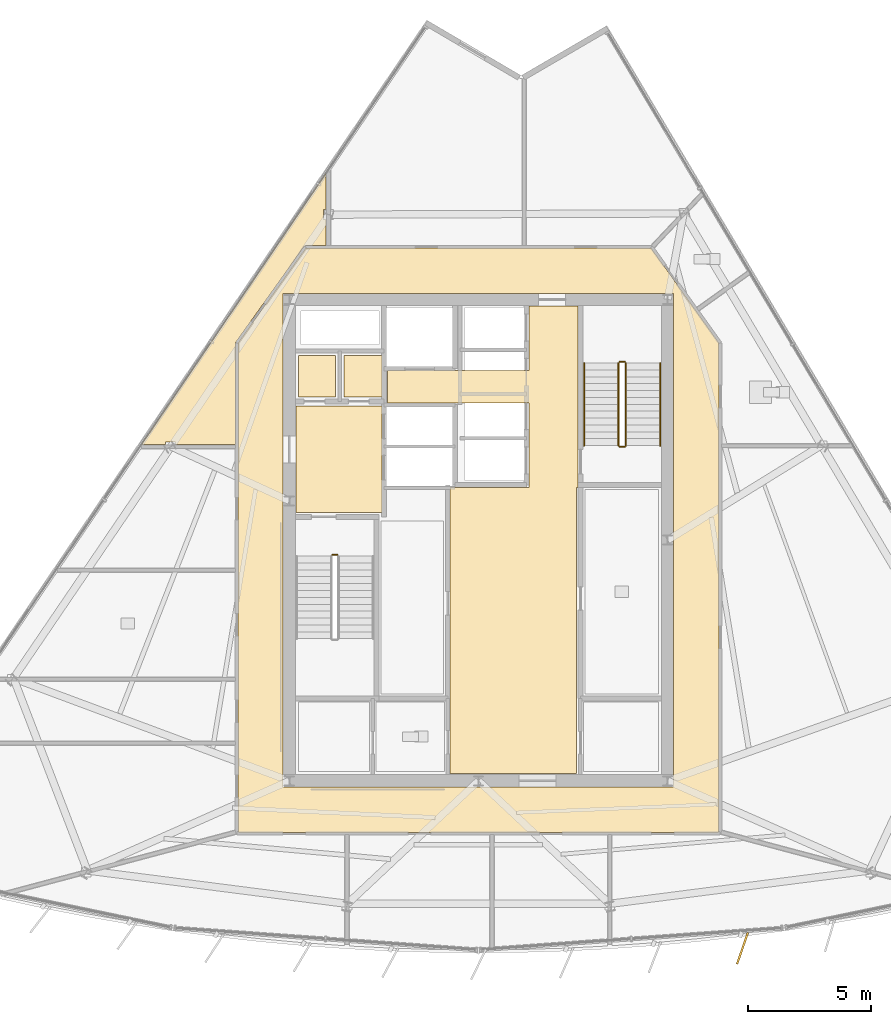
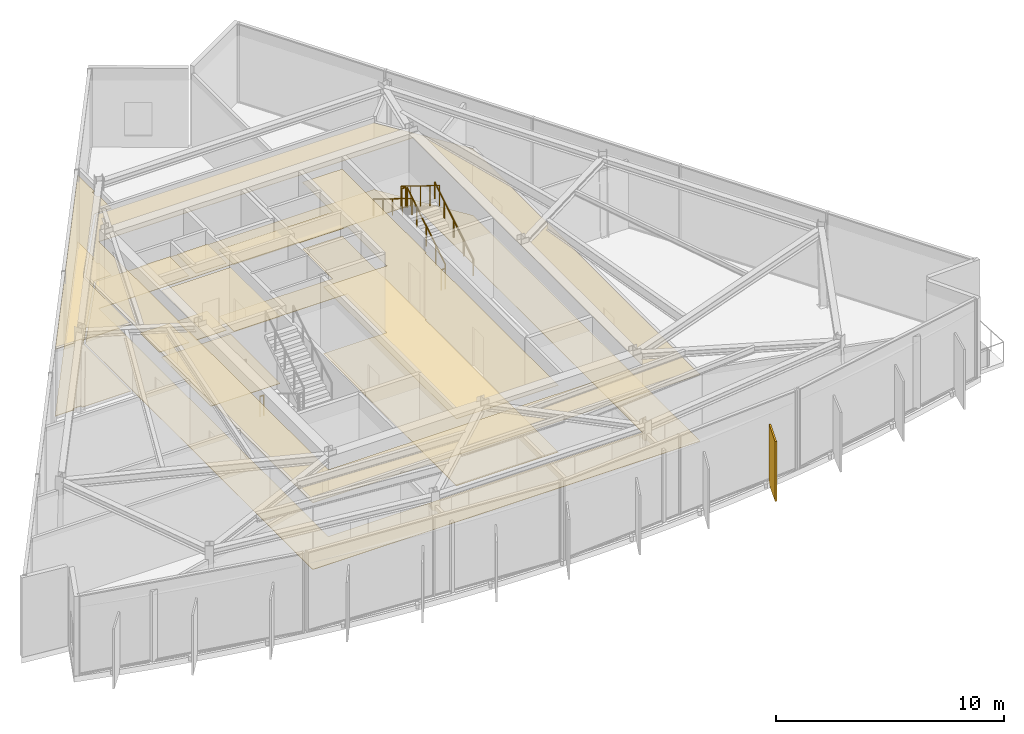
# One storey, part 10 of 12: 12 coverings, 7 railings, 1 shading device.
"""IFC4 building model written with IfcOpenShell, lengths in metres."""

from ifc_helpers import new_model, si_unit, direction, frame, origin, origin_2d, place, context, subcontext, project, spatial, polyline, rectangle, circle, outline, extrude, material, layer, layer_set, type_object, element, save


model = new_model("IFC4")

# Units and contexts
model_context = context("Model", 3, precision=1e-05, world=origin(), true_north=direction((0.0, 1.0)))
body_context = subcontext(model_context, "Body", "Model", "MODEL_VIEW")
ifc_project = project(units=[si_unit("LENGTHUNIT", "METRE"), si_unit("AREAUNIT", "SQUARE_METRE"), si_unit("VOLUMEUNIT", "CUBIC_METRE"), si_unit("PLANEANGLEUNIT", "RADIAN"), si_unit("MASSUNIT", "GRAM", prefix="KILO")], contexts=[model_context])

# Site, building, storey
site_placement = place(None, origin())
site = spatial("IfcSite", under=ifc_project, at=site_placement, CompositionType="ELEMENT")
building_placement = place(site_placement, origin())
building = spatial("IfcBuilding", under=site, at=building_placement, Name="Savorim Split Tower", CompositionType="ELEMENT")
storey_placement = place(building_placement, frame((0.0, 0.0, 246.300048828125)))
storey = spatial("IfcBuildingStorey", under=building, at=storey_placement, Name="L65", CompositionType="ELEMENT", Elevation=246.300048828125)

# Coverings
ifc_material_1 = material(Name="Mineral Fibre Acoustic Ceiling")
ifc_layer_1 = layer(ifc_material_1, 0.02490234375)
ifc_layer_set_1 = layer_set([ifc_layer_1], Name="COV-CEIL-25")
covering_type_1 = type_object("IfcCoveringType", Name="COV-CEIL-25", PredefinedType="CEILING", material=ifc_layer_set_1)
covering_1_placement = place(storey_placement, frame((0.0, 0.0, 3.570068359375)))
element("IfcCovering", 1, at=covering_1_placement, inside=storey, type_object=covering_type_1, Name="L65 Firefighting Lift Lobby Acoustic Ceiling", PredefinedType="CEILING", context=body_context, shape_type="SweptSolid", body=[
    extrude(outline(polyline([(-7.429931640625, 5.8701171875), (-7.429931640625, 1.530029296875), (-3.929931640625, 1.530029296875), (-3.929931640625, 5.8701171875), (-7.429931640625, 5.8701171875)])), origin(), (0.0, 0.0, 1.0), 0.02490234375),
])
covering_2_placement = place(storey_placement, frame((0.0, 0.0, 3.570068359375)))
element("IfcCovering", 2, at=covering_2_placement, inside=storey, type_object=covering_type_1, Name="L65 Electrical Riser Acoustic Ceiling", PredefinedType="CEILING", context=body_context, shape_type="SweptSolid", body=[
    extrude(outline(polyline([(-7.320068359375, 7.919921875), (-7.320068359375, 6.22998046875), (-5.830078125, 6.22998046875), (-5.830078125, 7.919921875), (-7.320068359375, 7.919921875)])), origin(), (0.0, 0.0, 1.0), 0.02490234375),
])
covering_3_placement = place(storey_placement, frame((0.0, 0.0, 3.570068359375)))
element("IfcCovering", 3, at=covering_3_placement, inside=storey, type_object=covering_type_1, Name="L65 Telecom Riser Acoustic Ceiling", PredefinedType="CEILING", context=body_context, shape_type="SweptSolid", body=[
    extrude(outline(polyline([(-5.469970703125, 7.919921875), (-5.469970703125, 6.22998046875), (-3.929931640625, 6.22998046875), (-3.929931640625, 7.919921875), (-5.469970703125, 7.919921875)])), origin(), (0.0, 0.0, 1.0), 0.02490234375),
])
covering_4_placement = place(storey_placement, frame((0.0, 0.0, 3.570068359375)))
element("IfcCovering", 4, at=covering_4_placement, inside=storey, type_object=covering_type_1, Name="L65 Lift Lobby Acoustic Ceiling", PredefinedType="CEILING", context=body_context, shape_type="SweptSolid", body=[
    extrude(outline(polyline([(2.050048828125, 2.550048828125), (-1.14990234375, 2.550048828125), (-1.14990234375, -9.10009765625), (4.0, -9.10009765625), (4.0, 2.550048828125), (4.050048828125, 2.550048828125), (4.050048828125, 5.97998046875), (4.050048828125, 7.300048828125), (4.050048828125, 9.929931640625), (2.050048828125, 9.929931640625), (2.050048828125, 7.300048828125), (-3.699951171875, 7.300048828125), (-3.699951171875, 5.97998046875), (2.050048828125, 5.97998046875), (2.050048828125, 2.550048828125)])), origin(), (0.0, 0.0, 1.0), 0.02490234375),
])
covering_5_placement = place(storey_placement, frame((0.0, 0.0, 3.570068359375)))
element("IfcCovering", 5, at=covering_5_placement, inside=storey, type_object=covering_type_1, Name="L65 Corridor Acoustic Ceiling", PredefinedType="CEILING", context=body_context, shape_type="SweptSolid", body=[
    extrude(outline(polyline([(7.009521484375, 12.299072265625), (7.004638671875, 12.2998046875), (7.0, 12.300048828125), (-7.0, 12.300048828125), (-7.004638671875, 12.2998046875), (-7.009521484375, 12.299072265625), (-7.01416015625, 12.298095703125), (-7.0185546875, 12.29638671875), (-7.02294921875, 12.29443359375), (-7.027099609375, 12.2919921875), (-7.031005859375, 12.289306640625), (-7.034423828125, 12.2861328125), (-7.03759765625, 12.28271484375), (-7.040771484375, 12.279052734375), (-9.790771484375, 8.42919921875), (-9.79345703125, 8.4248046875), (-9.7958984375, 8.420166015625), (-9.797607421875, 8.415283203125), (-9.798828125, 8.410400390625), (-9.7998046875, 8.4052734375), (-9.800048828125, 8.39990234375), (-9.800048828125, -11.449951171875), (-9.7998046875, -11.454833984375), (-9.799072265625, -11.459716796875), (-9.7978515625, -11.464599609375), (-9.796142578125, -11.468994140625), (-9.794189453125, -11.4736328125), (-9.79150390625, -11.477783203125), (-9.788818359375, -11.481689453125), (-9.785400390625, -11.4853515625), (-9.78173828125, -11.48876953125), (-9.77783203125, -11.49169921875), (-9.773681640625, -11.494140625), (-9.76904296875, -11.49609375), (-9.764404296875, -11.497802734375), (-9.759765625, -11.4990234375), (-9.7548828125, -11.499755859375), (-9.75, -11.5), (9.75, -11.5), (9.7548828125, -11.499755859375), (9.759765625, -11.4990234375), (9.764404296875, -11.497802734375), (9.76904296875, -11.49609375), (9.773681640625, -11.494140625), (9.77783203125, -11.49169921875), (9.78173828125, -11.48876953125), (9.785400390625, -11.4853515625), (9.788818359375, -11.481689453125), (9.79150390625, -11.477783203125), (9.794189453125, -11.4736328125), (9.796142578125, -11.468994140625), (9.7978515625, -11.464599609375), (9.799072265625, -11.459716796875), (9.7998046875, -11.454833984375), (9.800048828125, -11.449951171875), (9.800048828125, 8.39990234375), (9.7998046875, 8.4052734375), (9.798828125, 8.410400390625), (9.797607421875, 8.415283203125), (9.7958984375, 8.420166015625), (9.79345703125, 8.4248046875), (9.790771484375, 8.42919921875), (7.040771484375, 12.279052734375), (7.03759765625, 12.28271484375), (7.034423828125, 12.2861328125), (7.031005859375, 12.289306640625), (7.027099609375, 12.2919921875), (7.02294921875, 12.29443359375), (7.0185546875, 12.29638671875), (7.01416015625, 12.298095703125), (7.009521484375, 12.299072265625)]), holes=[polyline([(-7.949951171875, 10.449951171875), (-7.949951171875, -9.64990234375), (7.949951171875, -9.64990234375), (7.949951171875, 10.449951171875), (-7.949951171875, 10.449951171875)])]), origin(), (0.0, 0.0, 1.0), 0.02490234375),
])
covering_6_placement = place(storey_placement, frame((0.0, 0.0, 3.570068359375)))
element("IfcCovering", 6, at=covering_6_placement, inside=storey, type_object=covering_type_1, Name="L65 Co-Working Commons Acoustic Ceiling", PredefinedType="CEILING", context=body_context, shape_type="SweptSolid", body=[
    extrude(outline(polyline([(-7.01318359375, 12.389404296875), (-7.0, 12.389892578125), (-6.201171875, 12.389892578125), (-6.201171875, 13.460693359375), (-6.302978515625, 13.460693359375), (-6.302978515625, 13.8525390625), (-6.201171875, 13.8525390625), (-6.201171875, 15.34619140625), (-13.720458984375, 4.292724609375), (-12.73779296875, 4.292724609375), (-12.73779296875, 4.393798828125), (-12.343994140625, 4.393798828125), (-12.343994140625, 4.292724609375), (-9.889892578125, 4.292724609375), (-9.889892578125, 8.39990234375), (-9.889404296875, 8.414306640625), (-9.886962890625, 8.4287109375), (-9.88330078125, 8.442626953125), (-9.878173828125, 8.456298828125), (-9.87158203125, 8.46923828125), (-9.864013671875, 8.4814453125), (-7.114013671875, 12.331298828125), (-7.105712890625, 12.341796875), (-7.096435546875, 12.351318359375), (-7.08642578125, 12.360107421875), (-7.07568359375, 12.367919921875), (-7.064208984375, 12.37451171875), (-7.052001953125, 12.3798828125), (-7.039306640625, 12.38427734375), (-7.026611328125, 12.387451171875), (-7.01318359375, 12.389404296875)])), origin(), (0.0, 0.0, 1.0), 0.02490234375),
])
ifc_material_2 = material(Name="Porcelain Stoneware Flooring", Category="masonry")
ifc_layer_2 = layer(ifc_material_2, 0.02001953125)
ifc_layer_set_2 = layer_set([ifc_layer_2], Name="COV-FLOR-20")
covering_type_2 = type_object("IfcCoveringType", Name="COV-FLOR-20", PredefinedType="FLOORING", material=ifc_layer_set_2)
covering_7_placement = place(storey_placement, origin())
element("IfcCovering", 7, at=covering_7_placement, inside=storey, type_object=covering_type_2, Name="L65 Firefighting Lift Lobby Porcelain Flooring", PredefinedType="FLOORING", context=body_context, shape_type="SweptSolid", body=[
    extrude(outline(polyline([(-7.429931640625, 5.8701171875), (-7.429931640625, 1.530029296875), (-3.929931640625, 1.530029296875), (-3.929931640625, 5.8701171875), (-7.429931640625, 5.8701171875)])), origin(), (0.0, 0.0, 1.0), 0.02001953125),
])
covering_8_placement = place(storey_placement, origin())
element("IfcCovering", 8, at=covering_8_placement, inside=storey, type_object=covering_type_2, Name="L65 Electrical Riser Porcelain Flooring", PredefinedType="FLOORING", context=body_context, shape_type="SweptSolid", body=[
    extrude(outline(polyline([(-7.320068359375, 7.919921875), (-7.320068359375, 6.22998046875), (-5.830078125, 6.22998046875), (-5.830078125, 7.919921875), (-7.320068359375, 7.919921875)])), origin(), (0.0, 0.0, 1.0), 0.02001953125),
])
covering_9_placement = place(storey_placement, origin())
element("IfcCovering", 9, at=covering_9_placement, inside=storey, type_object=covering_type_2, Name="L65 Telecom Riser Porcelain Flooring", PredefinedType="FLOORING", context=body_context, shape_type="SweptSolid", body=[
    extrude(outline(polyline([(-5.469970703125, 7.919921875), (-5.469970703125, 6.22998046875), (-3.929931640625, 6.22998046875), (-3.929931640625, 7.919921875), (-5.469970703125, 7.919921875)])), origin(), (0.0, 0.0, 1.0), 0.02001953125),
])
covering_10_placement = place(storey_placement, origin())
element("IfcCovering", 10, at=covering_10_placement, inside=storey, type_object=covering_type_2, Name="L65 Lift Lobby Porcelain Flooring", PredefinedType="FLOORING", context=body_context, shape_type="SweptSolid", body=[
    extrude(outline(polyline([(2.050048828125, 2.550048828125), (-1.14990234375, 2.550048828125), (-1.14990234375, -9.10009765625), (4.0, -9.10009765625), (4.0, 2.550048828125), (4.050048828125, 2.550048828125), (4.050048828125, 5.97998046875), (4.050048828125, 7.300048828125), (4.050048828125, 9.929931640625), (2.050048828125, 9.929931640625), (2.050048828125, 7.300048828125), (-3.699951171875, 7.300048828125), (-3.699951171875, 5.97998046875), (2.050048828125, 5.97998046875), (2.050048828125, 2.550048828125)])), origin(), (0.0, 0.0, 1.0), 0.02001953125),
])
covering_11_placement = place(storey_placement, origin())
element("IfcCovering", 11, at=covering_11_placement, inside=storey, type_object=covering_type_2, Name="L65 Corridor Porcelain Flooring", PredefinedType="FLOORING", context=body_context, shape_type="SweptSolid", body=[
    extrude(outline(polyline([(7.009521484375, 12.299072265625), (7.004638671875, 12.2998046875), (7.0, 12.300048828125), (-7.0, 12.300048828125), (-7.004638671875, 12.2998046875), (-7.009521484375, 12.299072265625), (-7.01416015625, 12.298095703125), (-7.0185546875, 12.29638671875), (-7.02294921875, 12.29443359375), (-7.027099609375, 12.2919921875), (-7.031005859375, 12.289306640625), (-7.034423828125, 12.2861328125), (-7.03759765625, 12.28271484375), (-7.040771484375, 12.279052734375), (-9.790771484375, 8.42919921875), (-9.79345703125, 8.4248046875), (-9.7958984375, 8.420166015625), (-9.797607421875, 8.415283203125), (-9.798828125, 8.410400390625), (-9.7998046875, 8.4052734375), (-9.800048828125, 8.39990234375), (-9.800048828125, -11.449951171875), (-9.7998046875, -11.454833984375), (-9.799072265625, -11.459716796875), (-9.7978515625, -11.464599609375), (-9.796142578125, -11.468994140625), (-9.794189453125, -11.4736328125), (-9.79150390625, -11.477783203125), (-9.788818359375, -11.481689453125), (-9.785400390625, -11.4853515625), (-9.78173828125, -11.48876953125), (-9.77783203125, -11.49169921875), (-9.773681640625, -11.494140625), (-9.76904296875, -11.49609375), (-9.764404296875, -11.497802734375), (-9.759765625, -11.4990234375), (-9.7548828125, -11.499755859375), (-9.75, -11.5), (9.75, -11.5), (9.7548828125, -11.499755859375), (9.759765625, -11.4990234375), (9.764404296875, -11.497802734375), (9.76904296875, -11.49609375), (9.773681640625, -11.494140625), (9.77783203125, -11.49169921875), (9.78173828125, -11.48876953125), (9.785400390625, -11.4853515625), (9.788818359375, -11.481689453125), (9.79150390625, -11.477783203125), (9.794189453125, -11.4736328125), (9.796142578125, -11.468994140625), (9.7978515625, -11.464599609375), (9.799072265625, -11.459716796875), (9.7998046875, -11.454833984375), (9.800048828125, -11.449951171875), (9.800048828125, 8.39990234375), (9.7998046875, 8.4052734375), (9.798828125, 8.410400390625), (9.797607421875, 8.415283203125), (9.7958984375, 8.420166015625), (9.79345703125, 8.4248046875), (9.790771484375, 8.42919921875), (7.040771484375, 12.279052734375), (7.03759765625, 12.28271484375), (7.034423828125, 12.2861328125), (7.031005859375, 12.289306640625), (7.027099609375, 12.2919921875), (7.02294921875, 12.29443359375), (7.0185546875, 12.29638671875), (7.01416015625, 12.298095703125), (7.009521484375, 12.299072265625)]), holes=[polyline([(-7.949951171875, 10.449951171875), (-7.949951171875, -9.64990234375), (7.949951171875, -9.64990234375), (7.949951171875, 10.449951171875), (-7.949951171875, 10.449951171875)])]), origin(), (0.0, 0.0, 1.0), 0.02001953125),
])
covering_12_placement = place(storey_placement, origin())
element("IfcCovering", 12, at=covering_12_placement, inside=storey, type_object=covering_type_2, Name="L65 Co-Working Commons Porcelain Flooring", PredefinedType="FLOORING", context=body_context, shape_type="SweptSolid", body=[
    extrude(outline(polyline([(-7.01318359375, 12.389404296875), (-7.0, 12.389892578125), (-6.201171875, 12.389892578125), (-6.201171875, 13.460693359375), (-6.302978515625, 13.460693359375), (-6.302978515625, 13.8525390625), (-6.201171875, 13.8525390625), (-6.201171875, 15.34619140625), (-13.720458984375, 4.292724609375), (-12.73779296875, 4.292724609375), (-12.73779296875, 4.393798828125), (-12.343994140625, 4.393798828125), (-12.343994140625, 4.292724609375), (-9.889892578125, 4.292724609375), (-9.889892578125, 8.39990234375), (-9.889404296875, 8.414306640625), (-9.886962890625, 8.4287109375), (-9.88330078125, 8.442626953125), (-9.878173828125, 8.456298828125), (-9.87158203125, 8.46923828125), (-9.864013671875, 8.4814453125), (-7.114013671875, 12.331298828125), (-7.105712890625, 12.341796875), (-7.096435546875, 12.351318359375), (-7.08642578125, 12.360107421875), (-7.07568359375, 12.367919921875), (-7.064208984375, 12.37451171875), (-7.052001953125, 12.3798828125), (-7.039306640625, 12.38427734375), (-7.026611328125, 12.387451171875), (-7.01318359375, 12.389404296875)])), origin(), (0.0, 0.0, 1.0), 0.02001953125),
])

# Railings
ifc_material_3 = material(Name="Galvanised Painted Steel Balustrade", Category="steel")
railing_type_1 = type_object("IfcRailingType", Name="RLG-HR-900", PredefinedType="HANDRAIL", material=ifc_material_3)
railing_1_placement = place(storey_placement, frame((7.39990234375, 4.25, 0.173095703125)))
element("IfcRailing", 13, at=railing_1_placement, inside=storey, type_object=railing_type_1, Name="L65 ST-2 stair handrail 1", PredefinedType="HANDRAIL", context=body_context, shape_type="SweptSolid", body=[
    extrude(circle(Radius=0.02392578125, at=origin_2d()), frame((0.0, 0.0, 0.8759765625), z_axis=(0.0, 0.850623216509, 0.525775754039), x_axis=(-1.0, 0.0, 0.0)), (0.0, 0.0, 1.0), 3.9501953125),
    extrude(circle(Radius=0.02099609375, at=origin_2d()), origin(), (0.0, 0.0, 1.0), 0.851806640625),
    extrude(circle(Radius=0.02099609375, at=origin_2d()), frame((0.0, 0.840087890625, 0.519287109375)), (0.0, 0.0, 1.0), 0.851806640625),
    extrude(circle(Radius=0.02099609375, at=origin_2d()), frame((0.0, 1.68017578125, 1.03857421875)), (0.0, 0.0, 1.0), 0.851806640625),
    extrude(circle(Radius=0.02099609375, at=origin_2d()), frame((0.0, 2.52001953125, 1.5576171875)), (0.0, 0.0, 1.0), 0.851806640625),
    extrude(circle(Radius=0.02099609375, at=origin_2d()), frame((0.0, 3.360107421875, 2.076904296875)), (0.0, 0.0, 1.0), 0.851806640625),
])
railing_2_placement = place(storey_placement, frame((4.300048828125, 7.610107421875, 2.423095703125)))
element("IfcRailing", 14, at=railing_2_placement, inside=storey, type_object=railing_type_1, Name="L65 ST-2 stair handrail 2", PredefinedType="HANDRAIL", context=body_context, shape_type="SweptSolid", body=[
    extrude(circle(Radius=0.02392578125, at=origin_2d()), frame((0.0, 0.0, 0.8759765625), z_axis=(0.0, -0.850623216509, 0.525775754039), x_axis=(1.0, 0.0, 0.0)), (0.0, 0.0, 1.0), 3.9501953125),
    extrude(circle(Radius=0.02099609375, at=origin_2d()), origin(), (0.0, 0.0, 1.0), 0.851806640625),
    extrude(circle(Radius=0.02099609375, at=origin_2d()), frame((0.0, -0.840087890625, 0.519287109375)), (0.0, 0.0, 1.0), 0.851806640625),
    extrude(circle(Radius=0.02099609375, at=origin_2d()), frame((0.0, -1.68017578125, 1.03857421875)), (0.0, 0.0, 1.0), 0.851806640625),
    extrude(circle(Radius=0.02099609375, at=origin_2d()), frame((0.0, -2.52001953125, 1.5576171875)), (0.0, 0.0, 1.0), 0.851806640625),
    extrude(circle(Radius=0.02099609375, at=origin_2d()), frame((0.0, -3.360107421875, 2.076904296875)), (0.0, 0.0, 1.0), 0.851806640625),
])
railing_type_2 = type_object("IfcRailingType", Name="RLG-STG-1100", PredefinedType="BALUSTRADE", material=ifc_material_3)
railing_3_placement = place(storey_placement, frame((-5.949951171875, -0.199951171875, 0.0)))
element("IfcRailing", 15, at=railing_3_placement, inside=storey, type_object=railing_type_2, Name="L65 ST-1 stair guard 4", PredefinedType="BALUSTRADE", context=body_context, shape_type="SweptSolid", body=[
    extrude(circle(Radius=0.02392578125, at=origin_2d()), frame((0.0, 0.0, 1.076171875), z_axis=(1.0, 0.0, 0.0), x_axis=(0.0, 1.0, 0.0)), (0.0, 0.0, 1.0), 0.199951171875),
    extrude(circle(Radius=0.02099609375, at=origin_2d()), origin(), (0.0, 0.0, 1.0), 1.052001953125),
    extrude(circle(Radius=0.02099609375, at=origin_2d()), frame((0.199951171875, 0.0, 0.0)), (0.0, 0.0, 1.0), 1.052001953125),
])
railing_4_placement = place(storey_placement, frame((6.0, 4.25, 0.173095703125)))
element("IfcRailing", 16, at=railing_4_placement, inside=storey, type_object=railing_type_2, Name="L65 ST-2 stair guard 1", PredefinedType="BALUSTRADE", context=body_context, shape_type="SweptSolid", body=[
    extrude(circle(Radius=0.02392578125, at=origin_2d()), frame((0.0, 0.0, 1.076171875), z_axis=(0.0, 0.850623216509, 0.525775754039), x_axis=(-1.0, 0.0, 0.0)), (0.0, 0.0, 1.0), 3.9501953125),
    extrude(circle(Radius=0.02099609375, at=origin_2d()), origin(), (0.0, 0.0, 1.0), 1.052001953125),
    extrude(circle(Radius=0.02099609375, at=origin_2d()), frame((0.0, 0.840087890625, 0.519287109375)), (0.0, 0.0, 1.0), 1.052001953125),
    extrude(circle(Radius=0.02099609375, at=origin_2d()), frame((0.0, 1.68017578125, 1.03857421875)), (0.0, 0.0, 1.0), 1.052001953125),
    extrude(circle(Radius=0.02099609375, at=origin_2d()), frame((0.0, 2.52001953125, 1.5576171875)), (0.0, 0.0, 1.0), 1.052001953125),
    extrude(circle(Radius=0.02099609375, at=origin_2d()), frame((0.0, 3.360107421875, 2.076904296875)), (0.0, 0.0, 1.0), 1.052001953125),
])
railing_5_placement = place(storey_placement, frame((5.949951171875, 7.659912109375, 2.25)))
element("IfcRailing", 17, at=railing_5_placement, inside=storey, type_object=railing_type_2, Name="L65 ST-2 stair guard 2", PredefinedType="BALUSTRADE", context=body_context, shape_type="SweptSolid", body=[
    extrude(circle(Radius=0.02392578125, at=origin_2d()), frame((0.0, 0.0, 1.076171875), z_axis=(-1.0, 0.0, 0.0), x_axis=(0.0, -1.0, 0.0)), (0.0, 0.0, 1.0), 0.199951171875),
    extrude(circle(Radius=0.02099609375, at=origin_2d()), origin(), (0.0, 0.0, 1.0), 1.052001953125),
    extrude(circle(Radius=0.02099609375, at=origin_2d()), frame((-0.199951171875, 0.0, 0.0)), (0.0, 0.0, 1.0), 1.052001953125),
])
railing_6_placement = place(storey_placement, frame((5.699951171875, 7.610107421875, 2.423095703125)))
element("IfcRailing", 18, at=railing_6_placement, inside=storey, type_object=railing_type_2, Name="L65 ST-2 stair guard 3", PredefinedType="BALUSTRADE", context=body_context, shape_type="SweptSolid", body=[
    extrude(circle(Radius=0.02392578125, at=origin_2d()), frame((0.0, 0.0, 1.076171875), z_axis=(0.0, -0.850623216509, 0.525775754039), x_axis=(1.0, 0.0, 0.0)), (0.0, 0.0, 1.0), 3.9501953125),
    extrude(circle(Radius=0.02099609375, at=origin_2d()), origin(), (0.0, 0.0, 1.0), 1.052001953125),
    extrude(circle(Radius=0.02099609375, at=origin_2d()), frame((0.0, -0.840087890625, 0.519287109375)), (0.0, 0.0, 1.0), 1.052001953125),
    extrude(circle(Radius=0.02099609375, at=origin_2d()), frame((0.0, -1.68017578125, 1.03857421875)), (0.0, 0.0, 1.0), 1.052001953125),
    extrude(circle(Radius=0.02099609375, at=origin_2d()), frame((0.0, -2.52001953125, 1.5576171875)), (0.0, 0.0, 1.0), 1.052001953125),
    extrude(circle(Radius=0.02099609375, at=origin_2d()), frame((0.0, -3.360107421875, 2.076904296875)), (0.0, 0.0, 1.0), 1.052001953125),
])
railing_7_placement = place(storey_placement, frame((5.949951171875, 4.199951171875, 0.0)))
element("IfcRailing", 19, at=railing_7_placement, inside=storey, type_object=railing_type_2, Name="L65 ST-2 stair guard 4", PredefinedType="BALUSTRADE", context=body_context, shape_type="SweptSolid", body=[
    extrude(circle(Radius=0.02392578125, at=origin_2d()), frame((0.0, 0.0, 1.076171875), z_axis=(-1.0, 0.0, 0.0), x_axis=(0.0, -1.0, 0.0)), (0.0, 0.0, 1.0), 0.199951171875),
    extrude(circle(Radius=0.02099609375, at=origin_2d()), origin(), (0.0, 0.0, 1.0), 1.052001953125),
    extrude(circle(Radius=0.02099609375, at=origin_2d()), frame((-0.199951171875, 0.0, 0.0)), (0.0, 0.0, 1.0), 1.052001953125),
])

# Shading device
ifc_material_4 = material(Name="Terracotta Ceramic-Coated Aluminium Fin", Category="masonry")
shading_device_type = type_object("IfcShadingDeviceType", Name="SHD-FIN-1360", PredefinedType="USERDEFINED", material=ifc_material_4)
shading_device_placement = place(storey_placement, frame((10.748291015625, -16.218505859375, -0.2001953125), z_axis=(0.0, 0.0, 1.0), x_axis=(-0.324993810493, -0.945716143005, 0.0)))
element("IfcShadingDevice", 20, at=shading_device_placement, inside=storey, type_object=shading_device_type, Name="L65 Sawtooth Shading Fin 10", ObjectType="FIN", PredefinedType="USERDEFINED", context=body_context, shape_type="SweptSolid", body=[
    extrude(rectangle(XDim=1.360107421875, YDim=0.080078125, at=origin_2d()), origin(), (0.0, 0.0, 1.0), 3.199951171875),
])

save(model, "model.ifc")
